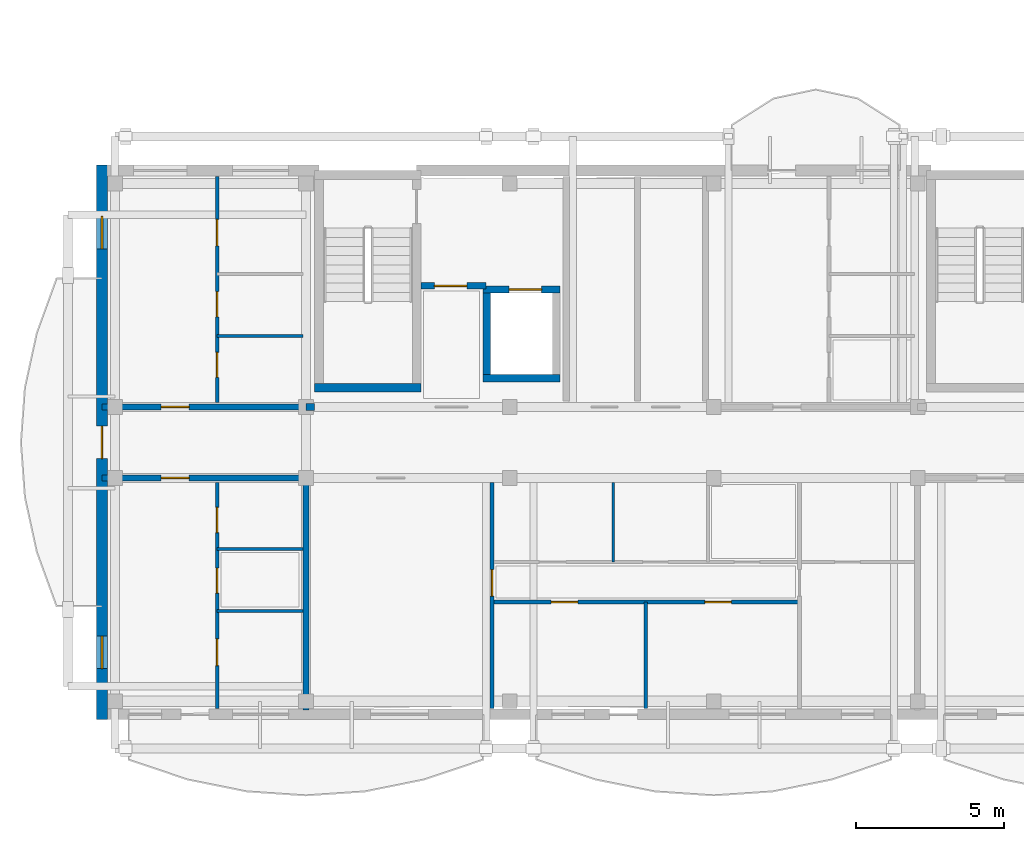
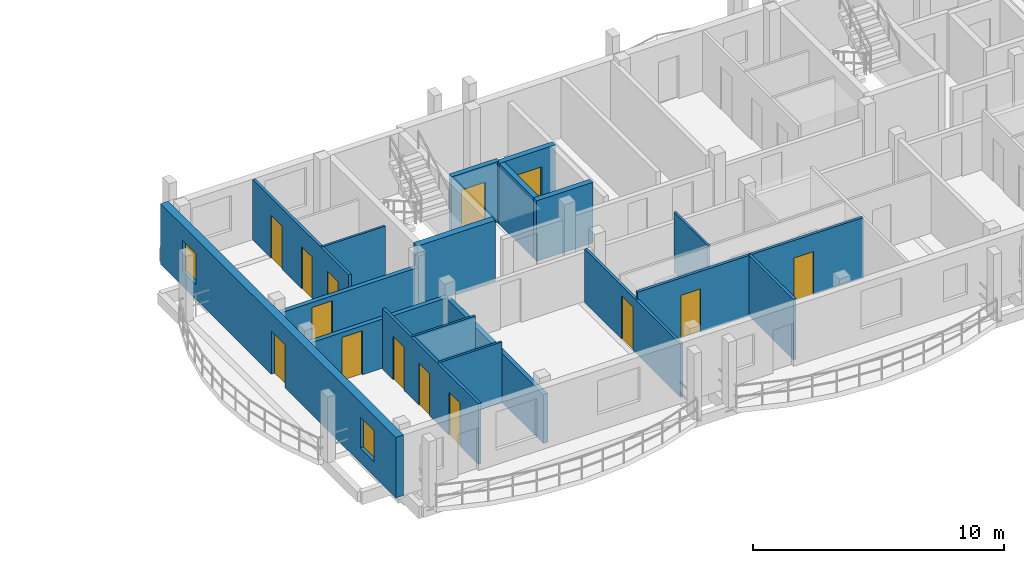
# One storey, part 14 of 42: 19 walls, 14 doors, 2 windows, 16 openings.
"""IFC4 building model written with IfcOpenShell, lengths in metres."""

from ifc_helpers import new_model, si_unit, direction, frame, frame_2d, origin, origin_with_axes, place, context, subcontext, project, spatial, rectangle, extrude, material, layer, layer_set, type_object, element, fill, save


model = new_model("IFC4")

# Units and contexts
model_context = context("Model", 3, precision=1e-05, world=origin(), true_north=direction((0.0, 1.0)))
body_context = subcontext(model_context, "Body", "Model", "MODEL_VIEW")
ifc_project = project(units=[si_unit("LENGTHUNIT", "METRE"), si_unit("AREAUNIT", "SQUARE_METRE"), si_unit("VOLUMEUNIT", "CUBIC_METRE"), si_unit("PLANEANGLEUNIT", "RADIAN"), si_unit("MASSUNIT", "GRAM", prefix="KILO")], contexts=[model_context])

# Site, building, storey
site_placement = place(None, origin())
site = spatial("IfcSite", under=ifc_project, at=site_placement, CompositionType="ELEMENT")
building_placement = place(site_placement, origin())
building = spatial("IfcBuilding", under=site, at=building_placement, Name="Zavelmont Quarter", CompositionType="ELEMENT")
storey_placement = place(building_placement, frame((0.0, 0.0, 24.0)))
storey = spatial("IfcBuildingStorey", under=building, at=storey_placement, Name="L07", CompositionType="ELEMENT", Elevation=24.0)

# Wall, openings, door, windows
ifc_material_1 = material(Name="Natural Belgian limestone", Category="masonry")
ifc_layer_1 = layer(ifc_material_1, 0.360107421875)
ifc_layer_set_1 = layer_set([ifc_layer_1], Name="Natural Belgian limestone")
wall_type_1 = type_object("IfcWallType", Name="EW02", PredefinedType="STANDARD", material=ifc_layer_set_1)
wall_1_placement = place(storey_placement, frame((0.0, -0.179931640625, 0.0), z_axis=(0.0, 0.0, 1.0), x_axis=(0.0, 1.0, 0.0)))
wall_1 = element("IfcWall", 1, at=wall_1_placement, inside=storey, type_object=wall_type_1, Name="L07 exterior limestone wall EW02", PredefinedType="STANDARD", context=body_context, shape_type="SweptSolid", body=[
    extrude(rectangle(XDim=18.760009765625, YDim=0.360107421875, at=frame_2d((9.3798828125, 0.0))), origin(), (0.0, 0.0, 1.0), 2.949951171875),
])
opening_1_placement = place(wall_1_placement, frame((8.830078125, 0.0, 0.0)))
opening_1 = element("IfcOpeningElement", 2, at=opening_1_placement, cuts=wall_1, Name="Opening DR04B", PredefinedType="OPENING", context=body_context, shape_type="SweptSolid", body=[
    extrude(rectangle(XDim=1.10009765625, YDim=2.10009765625, at=frame_2d((0.550048828125, 1.050048828125))), frame((0.0, 0.19189453125, 0.0), z_axis=(0.0, -1.0, 0.0), x_axis=(1.0, 0.0, 0.0)), (0.0, 0.0, 1.0), 0.384033203125),
])
opening_2_placement = place(wall_1_placement, frame((1.72998046875, 0.0, 0.719970703125)))
opening_2 = element("IfcOpeningElement", 3, at=opening_2_placement, cuts=wall_1, Name="Opening WN09", PredefinedType="OPENING", context=body_context, shape_type="SweptSolid", body=[
    extrude(rectangle(XDim=1.10009765625, YDim=1.5, at=frame_2d((0.550048828125, 0.75))), frame((0.0, 0.19189453125, 0.0), z_axis=(0.0, -1.0, 0.0), x_axis=(1.0, 0.0, 0.0)), (0.0, 0.0, 1.0), 0.384033203125),
])
opening_3_placement = place(wall_1_placement, frame((15.929931640625, 0.0, 0.719970703125)))
opening_3 = element("IfcOpeningElement", 4, at=opening_3_placement, cuts=wall_1, Name="Opening WN09", PredefinedType="OPENING", context=body_context, shape_type="SweptSolid", body=[
    extrude(rectangle(XDim=1.10009765625, YDim=1.5, at=frame_2d((0.550048828125, 0.75))), frame((0.0, 0.19189453125, 0.0), z_axis=(0.0, -1.0, 0.0), x_axis=(1.0, 0.0, 0.0)), (0.0, 0.0, 1.0), 0.384033203125),
])
ifc_material_2 = material(Name="Thermally broken aluminium and double safety glass", Category="aluminium")
door_type_1 = type_object("IfcDoorType", Name="DR04B", OperationType="NOTDEFINED", PredefinedType="DOOR", material=ifc_material_2)
door_1_placement = place(opening_1_placement, frame((1.10009765625, 0.0, 0.0), z_axis=(0.0, 0.0, 1.0), x_axis=(-1.0, 0.0, 0.0)))
door_1 = element("IfcDoor", 5, at=door_1_placement, inside=storey, type_object=door_type_1, Name="Block A L07 terrace or vase balcony door", OperationType="SINGLE_SWING_LEFT", OverallHeight=2.10009765625, OverallWidth=1.10009765625, PredefinedType="DOOR", context=body_context, shape_type="SweptSolid", body=[
    extrude(rectangle(XDim=1.10009765625, YDim=2.10009765625, at=frame_2d((0.550048828125, 1.050048828125))), frame((0.0, 0.02490234375, 0.0), z_axis=(0.0, -1.0, 0.0), x_axis=(1.0, 0.0, 0.0)), (0.0, 0.0, 1.0), 0.050048828125),
])
fill(opening_1, door_1)
ifc_material_3 = material(Name="Double low-E insulated glazing in thermally broken aluminium frame", Category="aluminium")
window_type = type_object("IfcWindowType", Name="WN09", PartitioningType="SINGLE_PANEL", PredefinedType="WINDOW", material=ifc_material_3)
window_1_placement = place(opening_2_placement, origin_with_axes())
window_1 = element("IfcWindow", 6, at=window_1_placement, inside=storey, type_object=window_type, Name="L07 window WN09", OverallHeight=1.5, OverallWidth=1.10009765625, PartitioningType="SINGLE_PANEL", PredefinedType="WINDOW", context=body_context, shape_type="SweptSolid", body=[
    extrude(rectangle(XDim=1.10009765625, YDim=1.5, at=frame_2d((0.550048828125, 0.75))), frame((0.0, 0.030029296875, 0.0), z_axis=(0.0, -1.0, 0.0), x_axis=(1.0, 0.0, 0.0)), (0.0, 0.0, 1.0), 0.06005859375),
])
fill(opening_2, window_1)
window_2_placement = place(opening_3_placement, origin_with_axes())
window_2 = element("IfcWindow", 7, at=window_2_placement, inside=storey, type_object=window_type, Name="L07 window WN09", OverallHeight=1.5, OverallWidth=1.10009765625, PartitioningType="SINGLE_PANEL", PredefinedType="WINDOW", context=body_context, shape_type="SweptSolid", body=[
    extrude(rectangle(XDim=1.10009765625, YDim=1.5, at=frame_2d((0.550048828125, 0.75))), frame((0.0, 0.030029296875, 0.0), z_axis=(0.0, -1.0, 0.0), x_axis=(1.0, 0.0, 0.0)), (0.0, 0.0, 1.0), 0.06005859375),
])
fill(opening_3, window_2)

# Wall
ifc_material_4 = material(Name="Calcium-silicate blockwork and acoustic plaster", Category="masonry")
ifc_layer_2 = layer(ifc_material_4, 0.199951171875)
ifc_layer_set_2 = layer_set([ifc_layer_2], Name="Calcium-silicate blockwork and acoustic plaster")
wall_type_2 = type_object("IfcWallType", Name="IW01", PredefinedType="PARTITIONING", material=ifc_layer_set_2)
wall_2_placement = place(storey_placement, frame((6.89990234375, 7.85009765625, 0.0), z_axis=(0.0, 0.0, 1.0), x_axis=(0.0, -1.0, 0.0)))
element("IfcWall", 8, at=wall_2_placement, inside=storey, type_object=wall_type_2, Name="L07 Inter-dwelling compartment wall IW01", PredefinedType="PARTITIONING", context=body_context, shape_type="SweptSolid", body=[
    extrude(rectangle(XDim=7.7001953125, YDim=0.199951171875, at=frame_2d((3.85009765625, 0.0))), origin(), (0.0, 0.0, 1.0), 2.389892578125),
])

# Wall, opening, door
wall_3_placement = place(storey_placement, frame((0.0, 8.0, 0.0), z_axis=(0.0, 0.0, 1.0), x_axis=(1.0, 0.0, 0.0)))
wall_3 = element("IfcWall", 9, at=wall_3_placement, inside=storey, type_object=wall_type_2, Name="L07 Corridor compartment wall IW01", PredefinedType="PARTITIONING", context=body_context, shape_type="SweptSolid", body=[
    extrude(rectangle(XDim=6.89990234375, YDim=0.199951171875, at=frame_2d((3.449951171875, 0.0))), origin(), (0.0, 0.0, 1.0), 2.389892578125),
])
opening_4_placement = place(wall_3_placement, frame((2.0, 0.0, 0.0)))
opening_4 = element("IfcOpeningElement", 10, at=opening_4_placement, cuts=wall_3, Name="Opening DR02", PredefinedType="OPENING", context=body_context, shape_type="SweptSolid", body=[
    extrude(rectangle(XDim=0.949951171875, YDim=2.14990234375, at=frame_2d((0.47509765625, 1.074951171875))), frame((0.0, 0.11181640625, 0.0), z_axis=(0.0, -1.0, 0.0), x_axis=(1.0, 0.0, 0.0)), (0.0, 0.0, 1.0), 0.223876953125),
])
ifc_material_5 = material(Name="Solid-core oak fire leaf in steel frame", Category="steel")
door_type_2 = type_object("IfcDoorType", Name="DR02", OperationType="NOTDEFINED", PredefinedType="DOOR", material=ifc_material_5)
door_2_placement = place(opening_4_placement, frame((0.949951171875, 0.0, 0.0), z_axis=(0.0, 0.0, 1.0), x_axis=(-1.0, 0.0, 0.0)))
door_2 = element("IfcDoor", 11, at=door_2_placement, inside=storey, type_object=door_type_2, Name="L07 door DR02", OperationType="SINGLE_SWING_LEFT", OverallHeight=2.14990234375, OverallWidth=0.949951171875, PredefinedType="DOOR", context=body_context, shape_type="SweptSolid", body=[
    extrude(rectangle(XDim=0.949951171875, YDim=2.14990234375, at=frame_2d((0.47509765625, 1.074951171875))), frame((0.0, 0.02490234375, 0.0), z_axis=(0.0, -1.0, 0.0), x_axis=(1.0, 0.0, 0.0)), (0.0, 0.0, 1.0), 0.050048828125),
])
fill(opening_4, door_2)

wall_4_placement = place(storey_placement, frame((0.0, 10.39990234375, 0.0), z_axis=(0.0, 0.0, 1.0), x_axis=(1.0, 0.0, 0.0)))
wall_4 = element("IfcWall", 12, at=wall_4_placement, inside=storey, type_object=wall_type_2, Name="L07 Corridor compartment wall IW01", PredefinedType="PARTITIONING", context=body_context, shape_type="SweptSolid", body=[
    extrude(rectangle(XDim=6.89990234375, YDim=0.199951171875, at=frame_2d((3.449951171875, 0.0))), origin(), (0.0, 0.0, 1.0), 2.389892578125),
])
opening_5_placement = place(wall_4_placement, frame((2.0, 0.0, 0.0)))
opening_5 = element("IfcOpeningElement", 13, at=opening_5_placement, cuts=wall_4, Name="Opening DR02", PredefinedType="OPENING", context=body_context, shape_type="SweptSolid", body=[
    extrude(rectangle(XDim=0.949951171875, YDim=2.14990234375, at=frame_2d((0.47509765625, 1.074951171875))), frame((0.0, 0.11181640625, 0.0), z_axis=(0.0, -1.0, 0.0), x_axis=(1.0, 0.0, 0.0)), (0.0, 0.0, 1.0), 0.223876953125),
])
door_3_placement = place(opening_5_placement, origin_with_axes())
door_3 = element("IfcDoor", 14, at=door_3_placement, inside=storey, type_object=door_type_2, Name="L07 door DR02", OperationType="SINGLE_SWING_RIGHT", OverallHeight=2.14990234375, OverallWidth=0.949951171875, PredefinedType="DOOR", context=body_context, shape_type="SweptSolid", body=[
    extrude(rectangle(XDim=0.949951171875, YDim=2.14990234375, at=frame_2d((0.47509765625, 1.074951171875))), frame((0.0, 0.02490234375, 0.0), z_axis=(0.0, -1.0, 0.0), x_axis=(1.0, 0.0, 0.0)), (0.0, 0.0, 1.0), 0.050048828125),
])
fill(opening_5, door_3)

ifc_material_6 = material(Name="Reinforced masonry fire compartment wall", Category="masonry")
ifc_layer_3 = layer(ifc_material_6, 0.22509765625)
ifc_layer_set_3 = layer_set([ifc_layer_3], Name="Reinforced masonry fire compartment wall")
wall_type_3 = type_object("IfcWallType", Name="IW02", PredefinedType="PARTITIONING", material=ifc_layer_set_3)
wall_5_placement = place(storey_placement, frame((10.800048828125, 14.5, 0.0), z_axis=(0.0, 0.0, 1.0), x_axis=(1.0, 0.0, 0.0)))
wall_5 = element("IfcWall", 15, at=wall_5_placement, inside=storey, type_object=wall_type_3, Name="L07 Firefighting lobby threshold wall IW02", PredefinedType="PARTITIONING", context=body_context, shape_type="SweptSolid", body=[
    extrude(rectangle(XDim=2.199951171875, YDim=0.22509765625, at=frame_2d((1.10009765625, 0.0))), origin(), (0.0, 0.0, 1.0), 2.949951171875),
])
opening_6_placement = place(wall_5_placement, frame((0.449951171875, 0.0, 0.0)))
opening_6 = element("IfcOpeningElement", 16, at=opening_6_placement, cuts=wall_5, Name="Opening DR10", PredefinedType="OPENING", context=body_context, shape_type="SweptSolid", body=[
    extrude(rectangle(XDim=1.10009765625, YDim=2.14990234375, at=frame_2d((0.550048828125, 1.074951171875))), frame((0.0, 0.12451171875, 0.0), z_axis=(0.0, -1.0, 0.0), x_axis=(1.0, 0.0, 0.0)), (0.0, 0.0, 1.0), 0.2490234375),
])
ifc_material_7 = material(Name="Painted steel lobby fire door", Category="steel")
door_type_3 = type_object("IfcDoorType", Name="DR10", OperationType="NOTDEFINED", PredefinedType="DOOR", material=ifc_material_7)
door_4_placement = place(opening_6_placement, origin_with_axes())
door_4 = element("IfcDoor", 17, at=door_4_placement, inside=storey, type_object=door_type_3, Name="Firefighting lobby fire door", OperationType="SINGLE_SWING_LEFT", OverallHeight=2.14990234375, OverallWidth=1.10009765625, PredefinedType="DOOR", context=body_context, shape_type="SweptSolid", body=[
    extrude(rectangle(XDim=1.10009765625, YDim=2.14990234375, at=frame_2d((0.550048828125, 1.074951171875))), frame((0.0, 0.02490234375, 0.0), z_axis=(0.0, -1.0, 0.0), x_axis=(1.0, 0.0, 0.0)), (0.0, 0.0, 1.0), 0.050048828125),
])
fill(opening_6, door_4)

# Wall
wall_6_placement = place(storey_placement, frame((6.89990234375, 10.39990234375, 0.0), z_axis=(0.0, 0.0, 1.0), x_axis=(1.0, 0.0, 0.0)))
element("IfcWall", 18, at=wall_6_placement, inside=storey, type_object=wall_type_3, Name="L07 Core corridor wall IW02", PredefinedType="PARTITIONING", context=body_context, shape_type="SweptSolid", body=[
    extrude(rectangle(XDim=0.300048828125, YDim=0.22509765625, at=frame_2d((0.14990234375, 0.0))), origin(), (0.0, 0.0, 1.0), 2.949951171875),
])

# Wall, openings, doors
ifc_material_8 = material(Name="Double gypsum board on acoustic steel stud", Category="steel")
ifc_layer_4 = layer(ifc_material_8, 0.125)
ifc_layer_set_4 = layer_set([ifc_layer_4], Name="Double gypsum board on acoustic steel stud")
wall_type_4 = type_object("IfcWallType", Name="IW03", PredefinedType="PARTITIONING", material=ifc_layer_set_4)
wall_7_placement = place(storey_placement, frame((3.89990234375, 7.85009765625, 0.0), z_axis=(0.0, 0.0, 1.0), x_axis=(0.0, -1.0, 0.0)))
wall_7 = element("IfcWall", 19, at=wall_7_placement, inside=storey, type_object=wall_type_4, Name="L07 Partition IW03", PredefinedType="PARTITIONING", context=body_context, shape_type="SweptSolid", body=[
    extrude(rectangle(XDim=7.650146484375, YDim=0.125, at=frame_2d((3.8251953125, 0.0))), origin(), (0.0, 0.0, 1.0), 2.949951171875),
])
opening_7_placement = place(wall_7_placement, frame((0.85009765625, 0.0, 0.0)))
opening_7 = element("IfcOpeningElement", 20, at=opening_7_placement, cuts=wall_7, Name="Opening DR16", PredefinedType="OPENING", context=body_context, shape_type="SweptSolid", body=[
    extrude(rectangle(XDim=0.85009765625, YDim=2.10009765625, at=frame_2d((0.425048828125, 1.050048828125))), frame((0.0, 0.074462890625, 0.0), z_axis=(0.0, -1.0, 0.0), x_axis=(1.0, 0.0, 0.0)), (0.0, 0.0, 1.0), 0.14892578125),
])
opening_8_placement = place(wall_7_placement, frame((2.89990234375, 0.0, 0.0)))
opening_8 = element("IfcOpeningElement", 21, at=opening_8_placement, cuts=wall_7, Name="Opening DR06", PredefinedType="OPENING", context=body_context, shape_type="SweptSolid", body=[
    extrude(rectangle(XDim=0.85009765625, YDim=2.050048828125, at=frame_2d((0.425048828125, 1.02490234375))), frame((0.0, 0.074462890625, 0.0), z_axis=(0.0, -1.0, 0.0), x_axis=(1.0, 0.0, 0.0)), (0.0, 0.0, 1.0), 0.14892578125),
])
opening_9_placement = place(wall_7_placement, frame((5.300048828125, 0.0, 0.0)))
opening_9 = element("IfcOpeningElement", 22, at=opening_9_placement, cuts=wall_7, Name="Opening DR05", PredefinedType="OPENING", context=body_context, shape_type="SweptSolid", body=[
    extrude(rectangle(XDim=0.89990234375, YDim=2.10009765625, at=frame_2d((0.449951171875, 1.050048828125))), frame((0.0, 0.074462890625, 0.0), z_axis=(0.0, -1.0, 0.0), x_axis=(1.0, 0.0, 0.0)), (0.0, 0.0, 1.0), 0.14892578125),
])
ifc_material_9 = material(Name="Engineered oak flush interior door")
door_type_4 = type_object("IfcDoorType", Name="DR05", OperationType="NOTDEFINED", PredefinedType="DOOR", material=ifc_material_9)
door_5_placement = place(opening_9_placement, origin_with_axes())
door_5 = element("IfcDoor", 23, at=door_5_placement, inside=storey, type_object=door_type_4, Name="L07 door DR05", OperationType="SINGLE_SWING_LEFT", OverallHeight=2.10009765625, OverallWidth=0.89990234375, PredefinedType="DOOR", context=body_context, shape_type="SweptSolid", body=[
    extrude(rectangle(XDim=0.89990234375, YDim=2.10009765625, at=frame_2d((0.449951171875, 1.050048828125))), frame((0.0, 0.02490234375, 0.0), z_axis=(0.0, -1.0, 0.0), x_axis=(1.0, 0.0, 0.0)), (0.0, 0.0, 1.0), 0.050048828125),
])
fill(opening_9, door_5)
ifc_material_10 = material(Name="Moisture-resistant painted wet-room door")
door_type_5 = type_object("IfcDoorType", Name="DR06", OperationType="NOTDEFINED", PredefinedType="DOOR", material=ifc_material_10)
door_6_placement = place(opening_8_placement, frame((0.85009765625, 0.0, 0.0), z_axis=(0.0, 0.0, 1.0), x_axis=(-1.0, 0.0, 0.0)))
door_6 = element("IfcDoor", 24, at=door_6_placement, inside=storey, type_object=door_type_5, Name="L07 door DR06", OperationType="SINGLE_SWING_RIGHT", OverallHeight=2.050048828125, OverallWidth=0.85009765625, PredefinedType="DOOR", context=body_context, shape_type="SweptSolid", body=[
    extrude(rectangle(XDim=0.85009765625, YDim=2.050048828125, at=frame_2d((0.425048828125, 1.02490234375))), frame((0.0, 0.02490234375, 0.0), z_axis=(0.0, -1.0, 0.0), x_axis=(1.0, 0.0, 0.0)), (0.0, 0.0, 1.0), 0.050048828125),
])
fill(opening_8, door_6)
door_type_6 = type_object("IfcDoorType", Name="DR16", OperationType="NOTDEFINED", PredefinedType="DOOR", material=ifc_material_9)
door_7_placement = place(opening_7_placement, origin_with_axes())
door_7 = element("IfcDoor", 25, at=door_7_placement, inside=storey, type_object=door_type_6, Name="L07 door DR16", OperationType="SINGLE_SWING_LEFT", OverallHeight=2.10009765625, OverallWidth=0.85009765625, PredefinedType="DOOR", context=body_context, shape_type="SweptSolid", body=[
    extrude(rectangle(XDim=0.85009765625, YDim=2.10009765625, at=frame_2d((0.425048828125, 1.050048828125))), frame((0.0, 0.02490234375, 0.0), z_axis=(0.0, -1.0, 0.0), x_axis=(1.0, 0.0, 0.0)), (0.0, 0.0, 1.0), 0.050048828125),
])
fill(opening_7, door_7)

# Wall, opening, door
wall_8_placement = place(storey_placement, frame((13.199951171875, 7.85009765625, 0.0), z_axis=(0.0, 0.0, 1.0), x_axis=(0.0, -1.0, 0.0)))
wall_8 = element("IfcWall", 26, at=wall_8_placement, inside=storey, type_object=wall_type_4, Name="L07 Partition IW03", PredefinedType="PARTITIONING", context=body_context, shape_type="SweptSolid", body=[
    extrude(rectangle(XDim=7.650146484375, YDim=0.125, at=frame_2d((3.8251953125, 0.0))), origin(), (0.0, 0.0, 1.0), 2.590087890625),
])
opening_10_placement = place(wall_8_placement, frame((2.949951171875, 0.0, 0.0)))
opening_10 = element("IfcOpeningElement", 27, at=opening_10_placement, cuts=wall_8, Name="Opening DR05", PredefinedType="OPENING", context=body_context, shape_type="SweptSolid", body=[
    extrude(rectangle(XDim=0.89990234375, YDim=2.10009765625, at=frame_2d((0.449951171875, 1.050048828125))), frame((0.0, 0.074462890625, 0.0), z_axis=(0.0, -1.0, 0.0), x_axis=(1.0, 0.0, 0.0)), (0.0, 0.0, 1.0), 0.14892578125),
])
door_8_placement = place(opening_10_placement, origin_with_axes())
door_8 = element("IfcDoor", 28, at=door_8_placement, inside=storey, type_object=door_type_4, Name="L07 door DR05", OperationType="SINGLE_SWING_RIGHT", OverallHeight=2.10009765625, OverallWidth=0.89990234375, PredefinedType="DOOR", context=body_context, shape_type="SweptSolid", body=[
    extrude(rectangle(XDim=0.89990234375, YDim=2.10009765625, at=frame_2d((0.449951171875, 1.050048828125))), frame((0.0, 0.02490234375, 0.0), z_axis=(0.0, -1.0, 0.0), x_axis=(1.0, 0.0, 0.0)), (0.0, 0.0, 1.0), 0.050048828125),
])
fill(opening_10, door_8)

# Wall
wall_9_placement = place(storey_placement, frame((18.39990234375, 3.800048828125, 0.0), z_axis=(0.0, 0.0, 1.0), x_axis=(0.0, -1.0, 0.0)))
element("IfcWall", 29, at=wall_9_placement, inside=storey, type_object=wall_type_4, Name="L07 Partition IW03", PredefinedType="PARTITIONING", context=body_context, shape_type="SweptSolid", body=[
    extrude(rectangle(XDim=3.60009765625, YDim=0.125, at=frame_2d((1.800048828125, 0.0))), origin(), (0.0, 0.0, 1.0), 2.949951171875),
])

# Wall, openings, doors
wall_10_placement = place(storey_placement, frame((13.199951171875, 3.800048828125, 0.0), z_axis=(0.0, 0.0, 1.0), x_axis=(1.0, 0.0, 0.0)))
wall_10 = element("IfcWall", 30, at=wall_10_placement, inside=storey, type_object=wall_type_4, Name="L07 Partition IW03", PredefinedType="PARTITIONING", context=body_context, shape_type="SweptSolid", body=[
    extrude(rectangle(XDim=10.400146484375, YDim=0.125, at=frame_2d((5.2001953125, 0.0))), origin(), (0.0, 0.0, 1.0), 2.949951171875),
])
opening_11_placement = place(wall_10_placement, frame((2.0, 0.0, 0.0)))
opening_11 = element("IfcOpeningElement", 31, at=opening_11_placement, cuts=wall_10, Name="Opening DR05", PredefinedType="OPENING", context=body_context, shape_type="SweptSolid", body=[
    extrude(rectangle(XDim=0.89990234375, YDim=2.10009765625, at=frame_2d((0.449951171875, 1.050048828125))), frame((0.0, 0.074462890625, 0.0), z_axis=(0.0, -1.0, 0.0), x_axis=(1.0, 0.0, 0.0)), (0.0, 0.0, 1.0), 0.14892578125),
])
opening_12_placement = place(wall_10_placement, frame((7.199951171875, 0.0, 0.0)))
opening_12 = element("IfcOpeningElement", 32, at=opening_12_placement, cuts=wall_10, Name="Opening DR05", PredefinedType="OPENING", context=body_context, shape_type="SweptSolid", body=[
    extrude(rectangle(XDim=0.89990234375, YDim=2.10009765625, at=frame_2d((0.449951171875, 1.050048828125))), frame((0.0, 0.074462890625, 0.0), z_axis=(0.0, -1.0, 0.0), x_axis=(1.0, 0.0, 0.0)), (0.0, 0.0, 1.0), 0.14892578125),
])
door_9_placement = place(opening_11_placement, origin_with_axes())
door_9 = element("IfcDoor", 33, at=door_9_placement, inside=storey, type_object=door_type_4, Name="L07 door DR05", OperationType="SINGLE_SWING_RIGHT", OverallHeight=2.10009765625, OverallWidth=0.89990234375, PredefinedType="DOOR", context=body_context, shape_type="SweptSolid", body=[
    extrude(rectangle(XDim=0.89990234375, YDim=2.10009765625, at=frame_2d((0.449951171875, 1.050048828125))), frame((0.0, 0.02490234375, 0.0), z_axis=(0.0, -1.0, 0.0), x_axis=(1.0, 0.0, 0.0)), (0.0, 0.0, 1.0), 0.050048828125),
])
fill(opening_11, door_9)
door_10_placement = place(opening_12_placement, frame((0.89990234375, 0.0, 0.0), z_axis=(0.0, 0.0, 1.0), x_axis=(-1.0, 0.0, 0.0)))
door_10 = element("IfcDoor", 34, at=door_10_placement, inside=storey, type_object=door_type_4, Name="L07 door DR05", OperationType="SINGLE_SWING_LEFT", OverallHeight=2.10009765625, OverallWidth=0.89990234375, PredefinedType="DOOR", context=body_context, shape_type="SweptSolid", body=[
    extrude(rectangle(XDim=0.89990234375, YDim=2.10009765625, at=frame_2d((0.449951171875, 1.050048828125))), frame((0.0, 0.02490234375, 0.0), z_axis=(0.0, -1.0, 0.0), x_axis=(1.0, 0.0, 0.0)), (0.0, 0.0, 1.0), 0.050048828125),
])
fill(opening_12, door_10)

wall_11_placement = place(storey_placement, frame((3.89990234375, 10.550048828125, 0.0), z_axis=(0.0, 0.0, 1.0), x_axis=(0.0, 1.0, 0.0)))
wall_11 = element("IfcWall", 35, at=wall_11_placement, inside=storey, type_object=wall_type_4, Name="L07 Partition IW03", PredefinedType="PARTITIONING", context=body_context, shape_type="SweptSolid", body=[
    extrude(rectangle(XDim=7.64990234375, YDim=0.125, at=frame_2d((3.824951171875, 0.0))), origin(), (0.0, 0.0, 1.0), 2.949951171875),
])
opening_13_placement = place(wall_11_placement, frame((0.85009765625, 0.0, 0.0)))
opening_13 = element("IfcOpeningElement", 36, at=opening_13_placement, cuts=wall_11, Name="Opening DR16", PredefinedType="OPENING", context=body_context, shape_type="SweptSolid", body=[
    extrude(rectangle(XDim=0.85009765625, YDim=2.10009765625, at=frame_2d((0.425048828125, 1.050048828125))), frame((0.0, 0.074462890625, 0.0), z_axis=(0.0, -1.0, 0.0), x_axis=(1.0, 0.0, 0.0)), (0.0, 0.0, 1.0), 0.14892578125),
])
opening_14_placement = place(wall_11_placement, frame((2.89990234375, 0.0, 0.0)))
opening_14 = element("IfcOpeningElement", 37, at=opening_14_placement, cuts=wall_11, Name="Opening DR06", PredefinedType="OPENING", context=body_context, shape_type="SweptSolid", body=[
    extrude(rectangle(XDim=0.85009765625, YDim=2.050048828125, at=frame_2d((0.425048828125, 1.02490234375))), frame((0.0, 0.074462890625, 0.0), z_axis=(0.0, -1.0, 0.0), x_axis=(1.0, 0.0, 0.0)), (0.0, 0.0, 1.0), 0.14892578125),
])
opening_15_placement = place(wall_11_placement, frame((5.300048828125, 0.0, 0.0)))
opening_15 = element("IfcOpeningElement", 38, at=opening_15_placement, cuts=wall_11, Name="Opening DR05", PredefinedType="OPENING", context=body_context, shape_type="SweptSolid", body=[
    extrude(rectangle(XDim=0.89990234375, YDim=2.10009765625, at=frame_2d((0.449951171875, 1.050048828125))), frame((0.0, 0.074462890625, 0.0), z_axis=(0.0, -1.0, 0.0), x_axis=(1.0, 0.0, 0.0)), (0.0, 0.0, 1.0), 0.14892578125),
])
door_11_placement = place(opening_15_placement, frame((0.89990234375, 0.0, 0.0), z_axis=(0.0, 0.0, 1.0), x_axis=(-1.0, 0.0, 0.0)))
door_11 = element("IfcDoor", 39, at=door_11_placement, inside=storey, type_object=door_type_4, Name="L07 door DR05", OperationType="SINGLE_SWING_RIGHT", OverallHeight=2.10009765625, OverallWidth=0.89990234375, PredefinedType="DOOR", context=body_context, shape_type="SweptSolid", body=[
    extrude(rectangle(XDim=0.89990234375, YDim=2.10009765625, at=frame_2d((0.449951171875, 1.050048828125))), frame((0.0, 0.02490234375, 0.0), z_axis=(0.0, -1.0, 0.0), x_axis=(1.0, 0.0, 0.0)), (0.0, 0.0, 1.0), 0.050048828125),
])
fill(opening_15, door_11)
door_12_placement = place(opening_14_placement, origin_with_axes())
door_12 = element("IfcDoor", 40, at=door_12_placement, inside=storey, type_object=door_type_5, Name="L07 door DR06", OperationType="SINGLE_SWING_LEFT", OverallHeight=2.050048828125, OverallWidth=0.85009765625, PredefinedType="DOOR", context=body_context, shape_type="SweptSolid", body=[
    extrude(rectangle(XDim=0.85009765625, YDim=2.050048828125, at=frame_2d((0.425048828125, 1.02490234375))), frame((0.0, 0.02490234375, 0.0), z_axis=(0.0, -1.0, 0.0), x_axis=(1.0, 0.0, 0.0)), (0.0, 0.0, 1.0), 0.050048828125),
])
fill(opening_14, door_12)
door_13_placement = place(opening_13_placement, frame((0.85009765625, 0.0, 0.0), z_axis=(0.0, 0.0, 1.0), x_axis=(-1.0, 0.0, 0.0)))
door_13 = element("IfcDoor", 41, at=door_13_placement, inside=storey, type_object=door_type_6, Name="L07 door DR16", OperationType="SINGLE_SWING_RIGHT", OverallHeight=2.10009765625, OverallWidth=0.85009765625, PredefinedType="DOOR", context=body_context, shape_type="SweptSolid", body=[
    extrude(rectangle(XDim=0.85009765625, YDim=2.10009765625, at=frame_2d((0.425048828125, 1.050048828125))), frame((0.0, 0.02490234375, 0.0), z_axis=(0.0, -1.0, 0.0), x_axis=(1.0, 0.0, 0.0)), (0.0, 0.0, 1.0), 0.050048828125),
])
fill(opening_13, door_13)

# Walls
ifc_material_11 = material(Name="Moisture-resistant gypsum board on steel stud", Category="steel")
ifc_layer_5 = layer(ifc_material_11, 0.10009765625)
ifc_layer_set_5 = layer_set([ifc_layer_5], Name="Moisture-resistant gypsum board on steel stud")
wall_type_5 = type_object("IfcWallType", Name="IW04", PredefinedType="PARTITIONING", material=ifc_layer_set_5)
for number, where, z_axis, x_axis, name in (
    (42, (3.89990234375, 5.60009765625, 0.0), (0.0, 0.0, 1.0), (1.0, 0.0, 0.0), "L07 Partition IW04"),
    (43, (3.89990234375, 3.5, 0.0), (0.0, 0.0, 1.0), (1.0, 0.0, 0.0), "L07 Partition IW04"),
):
    element("IfcWall", number, at=place(storey_placement, frame(where, z_axis=z_axis, x_axis=x_axis)), inside=storey, type_object=wall_type_5, Name=name, PredefinedType="PARTITIONING", context=body_context, shape_type="SweptSolid", body=[
        extrude(rectangle(XDim=2.900146484375, YDim=0.10009765625, at=frame_2d((1.4501953125, 0.0))), origin(), (0.0, 0.0, 1.0), 2.949951171875),
    ])
wall_12_placement = place(storey_placement, frame((17.300048828125, 7.85009765625, 0.0), z_axis=(0.0, 0.0, 1.0), x_axis=(0.0, -1.0, 0.0)))
element("IfcWall", 44, at=wall_12_placement, inside=storey, type_object=wall_type_5, Name="L07 Partition IW04", PredefinedType="PARTITIONING", context=body_context, shape_type="SweptSolid", body=[
    extrude(rectangle(XDim=2.7001953125, YDim=0.10009765625, at=frame_2d((1.35009765625, 0.0))), origin(), (0.0, 0.0, 1.0), 2.949951171875),
])
wall_13_placement = place(storey_placement, frame((3.89990234375, 12.800048828125, 0.0), z_axis=(0.0, 0.0, 1.0), x_axis=(1.0, 0.0, 0.0)))
element("IfcWall", 45, at=wall_13_placement, inside=storey, type_object=wall_type_5, Name="L07 Partition IW04", PredefinedType="PARTITIONING", context=body_context, shape_type="SweptSolid", body=[
    extrude(rectangle(XDim=2.900146484375, YDim=0.10009765625, at=frame_2d((1.4501953125, 0.0))), origin(), (0.0, 0.0, 1.0), 2.949951171875),
])
ifc_material_12 = material(Name="Concrete C40/50", Category="concrete")
ifc_layer_6 = layer(ifc_material_12, 0.300048828125)
ifc_layer_set_6 = layer_set([ifc_layer_6], Name="Concrete C40/50")
wall_type_6 = type_object("IfcWallType", Name="SW01", PredefinedType="SHEAR", material=ifc_layer_set_6)
wall_14_placement = place(storey_placement, frame((7.199951171875, 11.050048828125, 0.0), z_axis=(0.0, 0.0, 1.0), x_axis=(1.0, 0.0, 0.0)))
element("IfcWall", 46, at=wall_14_placement, inside=storey, type_object=wall_type_6, Name="L07 ST01 corridor shear wall SW01", PredefinedType="SHEAR", context=body_context, shape_type="SweptSolid", body=[
    extrude(rectangle(XDim=3.60009765625, YDim=0.300048828125, at=frame_2d((1.800048828125, 0.0))), origin(), (0.0, 0.0, 1.0), 2.949951171875),
])

# Wall, opening, door
ifc_layer_7 = layer(ifc_material_12, 0.25)
ifc_layer_set_7 = layer_set([ifc_layer_7], Name="Concrete C40/50")
wall_type_7 = type_object("IfcWallType", Name="SW02", PredefinedType="SHEAR", material=ifc_layer_set_7)
wall_15_placement = place(storey_placement, frame((12.89990234375, 14.375, 0.0), z_axis=(0.0, 0.0, 1.0), x_axis=(1.0, 0.0, 0.0)))
wall_15 = element("IfcWall", 47, at=wall_15_placement, inside=storey, type_object=wall_type_7, Name="L07 Lift FL01 landing shaft wall SW02", PredefinedType="SHEAR", context=body_context, shape_type="SweptSolid", body=[
    extrude(rectangle(XDim=2.60009765625, YDim=0.25, at=frame_2d((1.300048828125, 0.0))), origin(), (0.0, 0.0, 1.0), 2.949951171875),
])
opening_16_placement = place(wall_15_placement, frame((0.875, 0.0, 0.0)))
opening_16 = element("IfcOpeningElement", 48, at=opening_16_placement, cuts=wall_15, Name="Opening LD02", PredefinedType="OPENING", context=body_context, shape_type="SweptSolid", body=[
    extrude(rectangle(XDim=1.10009765625, YDim=2.10009765625, at=frame_2d((0.550048828125, 1.050048828125))), frame((0.0, 0.136962890625, 0.0), z_axis=(0.0, -1.0, 0.0), x_axis=(1.0, 0.0, 0.0)), (0.0, 0.0, 1.0), 0.27392578125),
])
ifc_material_13 = material(Name="Brushed stainless-steel firefighting lift landing door", Category="steel")
door_type_7 = type_object("IfcDoorType", Name="LD02", OperationType="SLIDING_TO_LEFT", PredefinedType="DOOR", material=ifc_material_13)
door_14_placement = place(opening_16_placement, origin_with_axes())
door_14 = element("IfcDoor", 49, at=door_14_placement, inside=storey, type_object=door_type_7, Name="Lift FL01 sliding landing door", OperationType="SLIDING_TO_LEFT", OverallHeight=2.10009765625, OverallWidth=1.10009765625, PredefinedType="DOOR", context=body_context, shape_type="SweptSolid", body=[
    extrude(rectangle(XDim=1.10009765625, YDim=2.10009765625, at=frame_2d((0.550048828125, 1.050048828125))), frame((0.0, 0.02490234375, 0.0), z_axis=(0.0, -1.0, 0.0), x_axis=(1.0, 0.0, 0.0)), (0.0, 0.0, 1.0), 0.050048828125),
])
fill(opening_16, door_14)

# Walls
wall_16_placement = place(storey_placement, frame((12.89990234375, 11.375, 0.0), z_axis=(0.0, 0.0, 1.0), x_axis=(1.0, 0.0, 0.0)))
element("IfcWall", 50, at=wall_16_placement, inside=storey, type_object=wall_type_7, Name="L07 Lift FL01 back shaft wall SW02", PredefinedType="SHEAR", context=body_context, shape_type="SweptSolid", body=[
    extrude(rectangle(XDim=2.60009765625, YDim=0.25, at=frame_2d((1.300048828125, 0.0))), origin(), (0.0, 0.0, 1.0), 2.949951171875),
])
wall_17_placement = place(storey_placement, frame((13.02490234375, 11.25, 0.0), z_axis=(0.0, 0.0, 1.0), x_axis=(0.0, 1.0, 0.0)))
element("IfcWall", 51, at=wall_17_placement, inside=storey, type_object=wall_type_7, Name="L07 Lift FL01 west shaft wall SW02", PredefinedType="SHEAR", context=body_context, shape_type="SweptSolid", body=[
    extrude(rectangle(XDim=3.25, YDim=0.25, at=frame_2d((1.625, 0.0))), origin(), (0.0, 0.0, 1.0), 2.949951171875),
])

save(model, "model.ifc")
